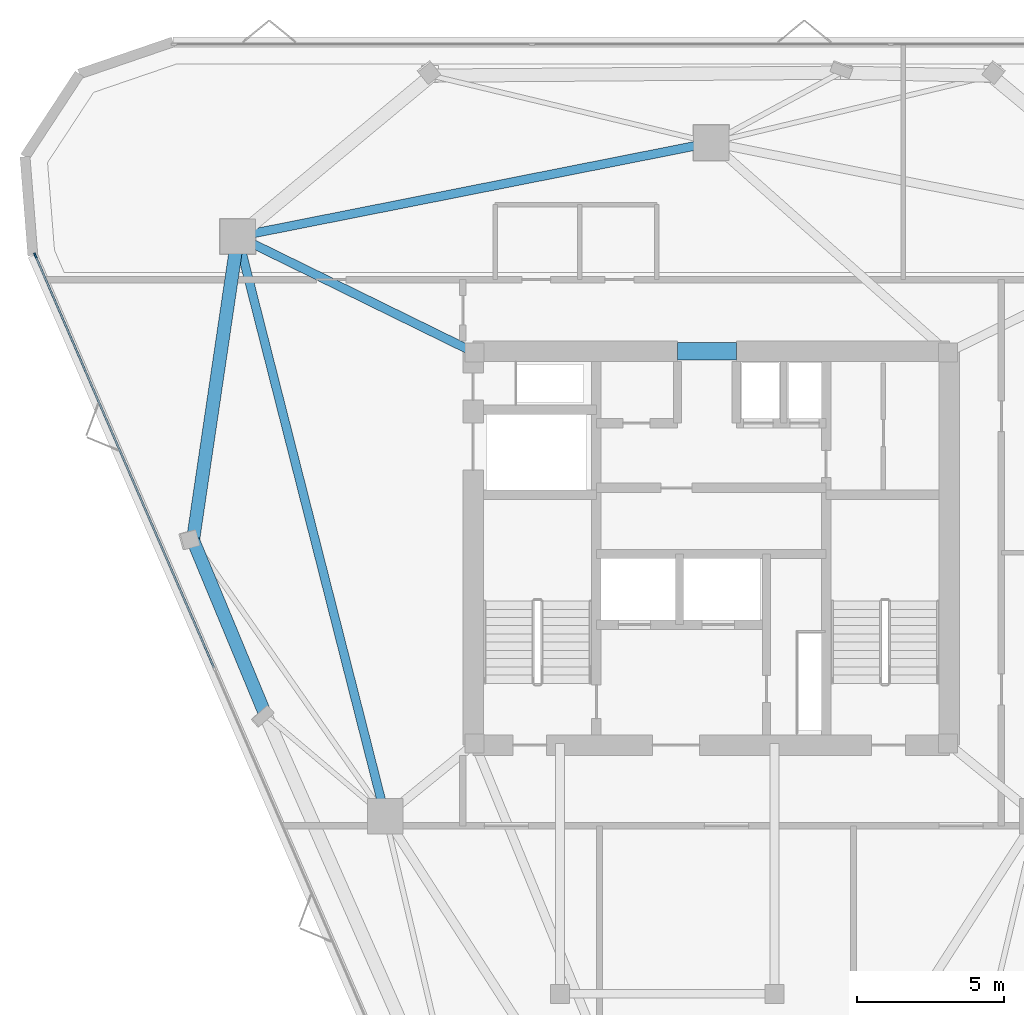
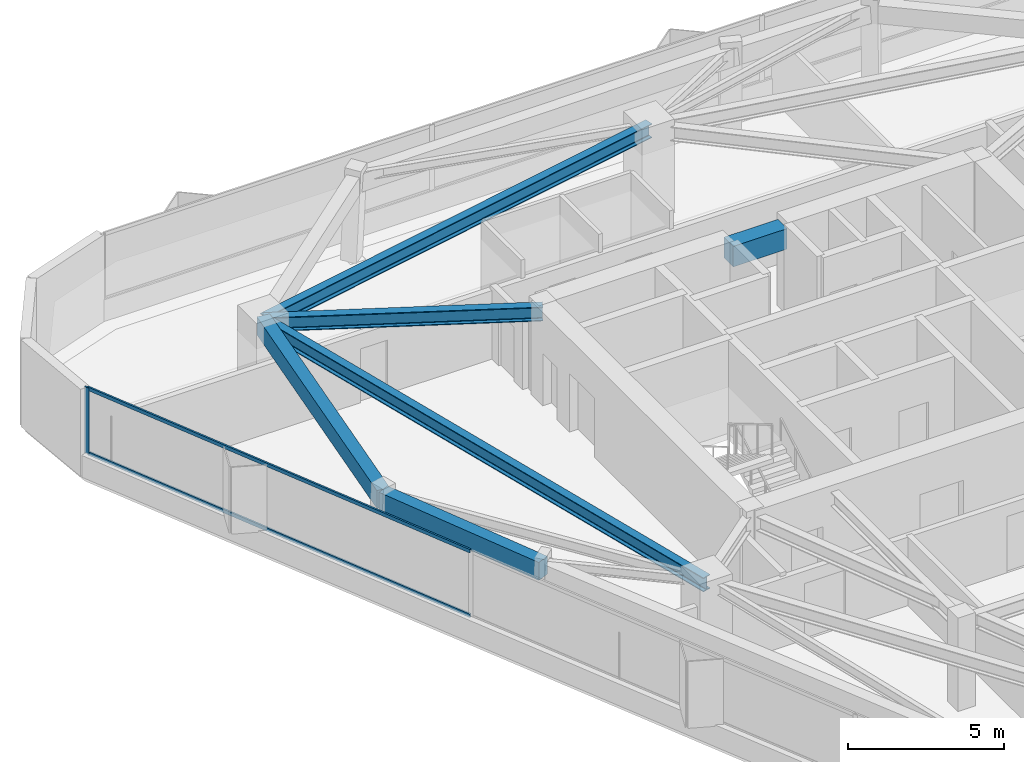
# One storey, part 5 of 12: 6 beams, 3 members, 1 element without a shape of its own.
"""IFC4 building model written with IfcOpenShell, lengths in metres."""

from ifc_helpers import new_model, si_unit, direction, frame, origin, origin_2d, place, context, subcontext, project, spatial, rectangle, i_section, extrude, material, layer, layer_set, material_profile, profile_set, type_object, element, aggregate, save


model = new_model("IFC4")

# Units and contexts
model_context = context("Model", 3, precision=1e-05, world=origin(), true_north=direction((0.0, 1.0)))
body_context = subcontext(model_context, "Body", "Model", "MODEL_VIEW")
ifc_project = project(units=[si_unit("LENGTHUNIT", "METRE"), si_unit("AREAUNIT", "SQUARE_METRE"), si_unit("VOLUMEUNIT", "CUBIC_METRE"), si_unit("PLANEANGLEUNIT", "RADIAN"), si_unit("MASSUNIT", "GRAM", prefix="KILO")], contexts=[model_context])

# Site, building, storey
site_placement = place(None, origin())
site = spatial("IfcSite", under=ifc_project, at=site_placement, CompositionType="ELEMENT")
building_placement = place(site_placement, origin())
building = spatial("IfcBuilding", under=site, at=building_placement, Name="Talyreon Biosciences Tower", CompositionType="ELEMENT")
storey_placement = place(building_placement, frame((0.0, 0.0, 246.199951171875)))
storey = spatial("IfcBuildingStorey", under=building, at=storey_placement, Name="L65", CompositionType="ELEMENT", Elevation=246.199951171875)

# Curtain wall, members
ifc_material_1 = material(Name="Thermally broken aluminium and low-E glazing", Category="aluminium")
ifc_layer = layer(ifc_material_1, 0.175048828125)
ifc_layer_set = layer_set([ifc_layer], Name="Thermally broken aluminium and low-E glazing")
curtain_wall_type = type_object("IfcCurtainWallType", Name="CurtainWall_Zone5CompLab", PredefinedType="NOTDEFINED", material=ifc_layer_set)
curtain_wall_placement = place(storey_placement, origin())
curtain_wall = element("IfcCurtainWall", 1, at=curtain_wall_placement, inside=storey, type_object=curtain_wall_type, Name="L65 Unitised Curtain Wall FCW-L65-00", PredefinedType="NOTDEFINED")
ifc_material_2 = material(Name="Anodised thermally broken aluminium", Category="aluminium")
ifc_material_profile_1 = material_profile(ifc_material_2, rectangle(XDim=0.06494140625, YDim=0.179931640625, at=origin_2d()), Name="ALUM MULLION 65x180")
ifc_profile_set_1 = profile_set([ifc_material_profile_1], Name="Anodised thermally broken aluminium")
member_type_1 = type_object("IfcMemberType", Name="CWMullion_65x180", PredefinedType="MULLION", material=ifc_profile_set_1)
member_1_placement = place(storey_placement, frame((43.010986328125, 77.95263671875, 0.81005859375), z_axis=(0.0, 0.0, 1.0), x_axis=(-0.91758594353, -0.397537465198, 0.0)))
member_1 = element("IfcMember", 2, at=member_1_placement, type_object=member_type_1, Name="CW6 mullion 4", PredefinedType="MULLION", context=body_context, shape_type="SweptSolid", body=[
    extrude(rectangle(XDim=0.06494140625, YDim=0.179931640625, at=origin_2d()), origin(), (0.0, 0.0, 1.0), 2.590087890625),
])
ifc_material_profile_2 = material_profile(ifc_material_2, rectangle(XDim=0.06494140625, YDim=0.139892578125, at=origin_2d()), Name="ALUM TRANSOM 65x140")
ifc_profile_set_2 = profile_set([ifc_material_profile_2], Name="Anodised thermally broken aluminium")
member_type_2 = type_object("IfcMemberType", Name="CWTransom_65x140", PredefinedType="USERDEFINED", material=ifc_profile_set_2)
member_2_placement = place(storey_placement, frame((49.08642578125, 63.929443359375, 0.842529296875), z_axis=(-0.397535103943, 0.917586966523, 0.0), x_axis=(-0.917586966523, -0.397535103943, 0.0)))
member_2 = element("IfcMember", 3, at=member_2_placement, type_object=member_type_2, Name="CW6 transom 3.1", ObjectType="TRANSOM", PredefinedType="USERDEFINED", context=body_context, shape_type="SweptSolid", body=[
    extrude(rectangle(XDim=0.06494140625, YDim=0.139892578125, at=origin_2d()), origin(), (0.0, 0.0, 1.0), 15.250244140625),
])
member_3_placement = place(storey_placement, frame((49.08642578125, 63.929443359375, 3.367431640625), z_axis=(-0.397535103943, 0.917586966523, 0.0), x_axis=(-0.917586966523, -0.397535103943, 0.0)))
member_3 = element("IfcMember", 4, at=member_3_placement, type_object=member_type_2, Name="CW6 transom 3.2", ObjectType="TRANSOM", PredefinedType="USERDEFINED", context=body_context, shape_type="SweptSolid", body=[
    extrude(rectangle(XDim=0.06494140625, YDim=0.139892578125, at=origin_2d()), origin(), (0.0, 0.0, 1.0), 15.250244140625),
])
aggregate(curtain_wall, [member_1, member_2, member_3])

# Beams
ifc_material_3 = material(Name="Concrete C50/60", Category="concrete")
ifc_material_profile_3 = material_profile(ifc_material_3, rectangle(XDim=0.60009765625, YDim=0.800048828125, at=origin_2d()), Name="RCB 600x800")
ifc_profile_set_3 = profile_set([ifc_material_profile_3], Name="Concrete C50/60")
beam_type_1 = type_object("IfcBeamType", Name="CoreCouplingLintel_600x800", PredefinedType="LINTEL", material=ifc_profile_set_3)
beam_1_placement = place(storey_placement, frame((64.85009765625, 74.699951171875, 3.0), z_axis=(1.0, 0.0, 0.0), x_axis=(0.0, 1.0, 0.0)))
element("IfcBeam", 5, at=beam_1_placement, inside=storey, type_object=beam_type_1, Name="L65 Core Coupling Lintel", PredefinedType="LINTEL", context=body_context, shape_type="SweptSolid", body=[
    extrude(rectangle(XDim=0.60009765625, YDim=0.800048828125, at=origin_2d()), origin(), (0.0, 0.0, 1.0), 2.0),
])
ifc_material_4 = material(Name="Precast concrete C45/55", Category="concrete")
ifc_material_profile_4 = material_profile(ifc_material_4, rectangle(XDim=0.449951171875, YDim=0.699951171875, at=origin_2d()), Name="RCB 450x700")
ifc_profile_set_4 = profile_set([ifc_material_profile_4], Name="Precast concrete C45/55")
beam_type_2 = type_object("IfcBeamType", Name="ExpressedSpandrel_450x700", PredefinedType="SPANDREL", material=ifc_profile_set_4)
beam_2_placement = place(storey_placement, frame((49.897705078125, 78.5986328125, 3.050048828125), z_axis=(-0.146028391904, -0.989280399461, 0.0), x_axis=(0.989280399461, -0.146028391904, 0.0)))
element("IfcBeam", 6, at=beam_2_placement, inside=storey, type_object=beam_type_2, Name="L65 Expressed Horizontal Concrete Spandrel 09", PredefinedType="SPANDREL", context=body_context, shape_type="SweptSolid", body=[
    extrude(rectangle(XDim=0.449951171875, YDim=0.699951171875, at=origin_2d()), origin(), (0.0, 0.0, 1.0), 10.442626953125),
])
beam_3_placement = place(storey_placement, frame((48.372802734375, 68.26806640625, 3.050048828125), z_axis=(0.383243576119, -0.923647314381, 0.0), x_axis=(0.923647314381, 0.383243576119, 0.0)))
element("IfcBeam", 7, at=beam_3_placement, inside=storey, type_object=beam_type_2, Name="L65 Expressed Horizontal Concrete Spandrel 10", PredefinedType="SPANDREL", context=body_context, shape_type="SweptSolid", body=[
    extrude(rectangle(XDim=0.449951171875, YDim=0.699951171875, at=origin_2d()), origin(), (0.0, 0.0, 1.0), 6.44677734375),
])
ifc_material_5 = material(Name="Steel SM355", Category="steel")
ifc_material_profile_5 = material_profile(ifc_material_5, i_section(OverallWidth=0.300048828125, OverallDepth=0.550048828125, WebThickness=0.014892578125, FlangeThickness=0.029052734375, FilletRadius=0.027099609375, at=origin_2d()), Name="HE550B")
ifc_profile_set_5 = profile_set([ifc_material_profile_5], Name="Steel SM355")
beam_type_3 = type_object("IfcBeamType", Name="SteelBeam_HE550B", PredefinedType="BEAM", material=ifc_profile_set_5)
beam_4_placement = place(storey_placement, frame((66.0, 81.788818359375, 3.125), z_axis=(-0.980933730698, -0.194342522311, 0.0), x_axis=(0.194342522311, -0.980933730698, 0.0)))
element("IfcBeam", 8, at=beam_4_placement, inside=storey, type_object=beam_type_3, Name="L65 Mega-Ring Girder 4", PredefinedType="BEAM", context=body_context, shape_type="SweptSolid", body=[
    extrude(i_section(OverallWidth=0.300048828125, OverallDepth=0.550048828125, WebThickness=0.014892578125, FlangeThickness=0.029052734375, FilletRadius=0.027099609375, at=origin_2d()), origin(), (0.0, 0.0, 1.0), 16.415283203125),
])
beam_5_placement = place(storey_placement, frame((49.897705078125, 78.5986328125, 3.125), z_axis=(0.246537082299, -0.969133358755, 0.0), x_axis=(0.969133358755, 0.246537082299, 0.0)))
element("IfcBeam", 9, at=beam_5_placement, inside=storey, type_object=beam_type_3, Name="L65 Mega-Ring Girder 5", PredefinedType="BEAM", context=body_context, shape_type="SweptSolid", body=[
    extrude(i_section(OverallWidth=0.300048828125, OverallDepth=0.550048828125, WebThickness=0.014892578125, FlangeThickness=0.029052734375, FilletRadius=0.027099609375, at=origin_2d()), origin(), (0.0, 0.0, 1.0), 20.34619140625),
])
beam_6_placement = place(storey_placement, frame((57.949951171875, 74.64990234375, 3.125), z_axis=(-0.897852360314, 0.440296648952, 0.0), x_axis=(-0.440296648952, -0.897852360314, 0.0)))
element("IfcBeam", 10, at=beam_6_placement, inside=storey, type_object=beam_type_3, Name="L65 Radial Primary Girder 5", PredefinedType="BEAM", context=body_context, shape_type="SweptSolid", body=[
    extrude(i_section(OverallWidth=0.300048828125, OverallDepth=0.550048828125, WebThickness=0.014892578125, FlangeThickness=0.029052734375, FilletRadius=0.027099609375, at=origin_2d()), origin(), (0.0, 0.0, 1.0), 8.96826171875),
])

save(model, "model.ifc")
